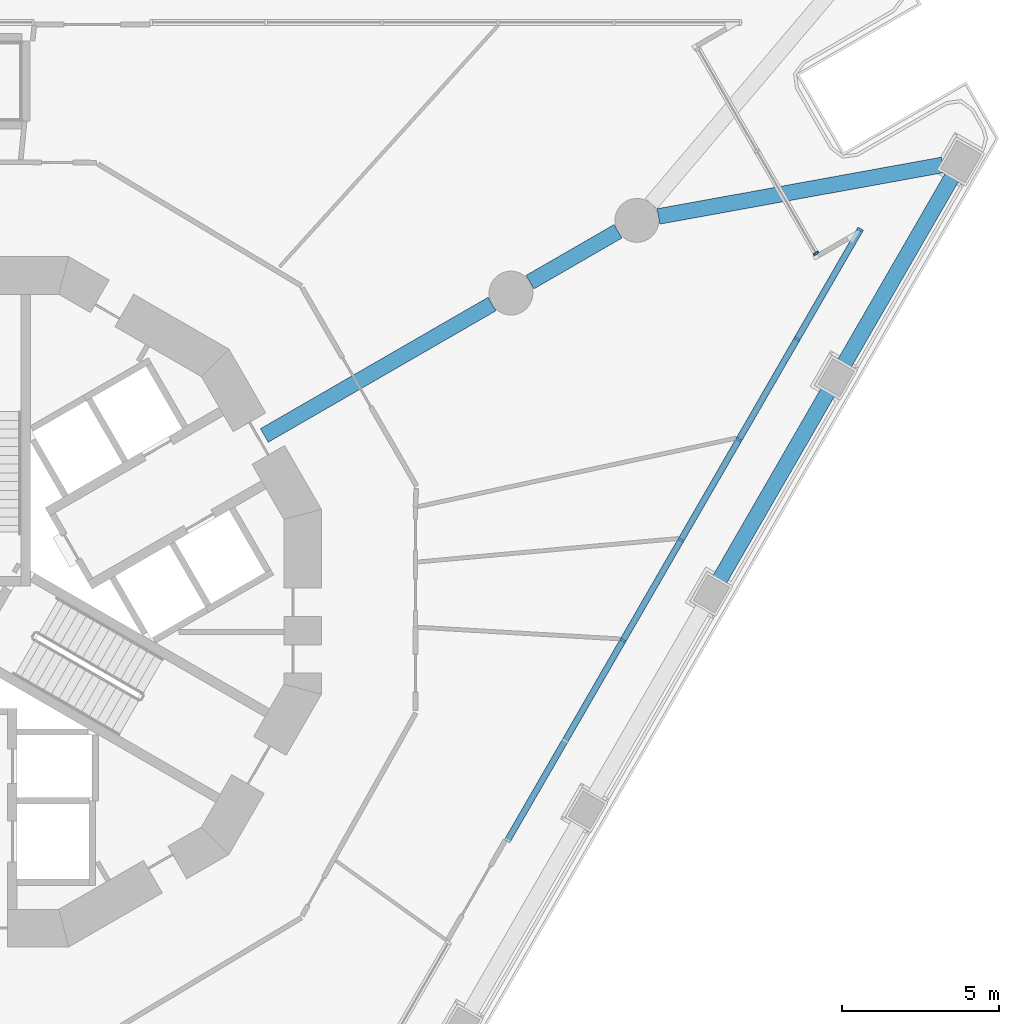
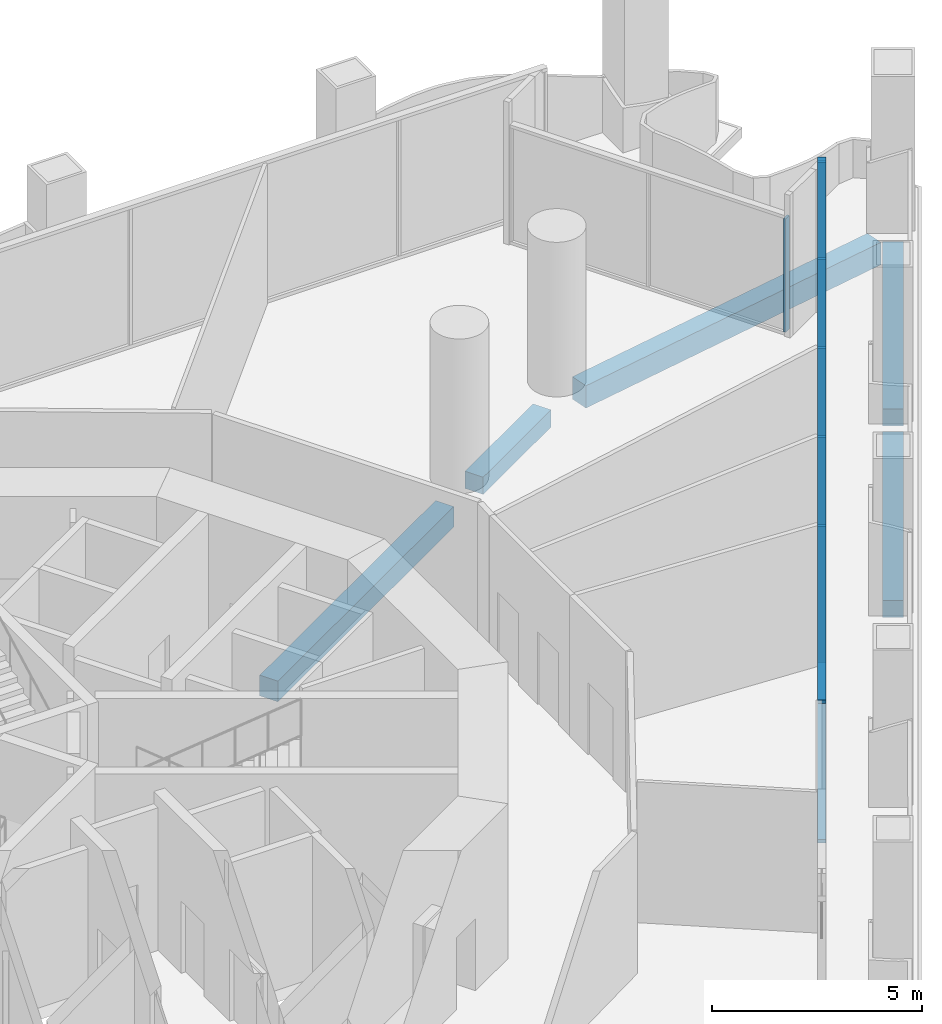
# One storey, part 7 of 22: 8 members, 5 beams, 2 elements without a shape of their own.
"""IFC4 building model written with IfcOpenShell, lengths in metres."""

from ifc_helpers import new_model, si_unit, direction, frame, origin, origin_2d, place, context, subcontext, project, spatial, rectangle, extrude, material, layer, layer_set, material_profile, profile_set, type_object, element, aggregate, save


model = new_model("IFC4")

# Units and contexts
model_context = context("Model", 3, precision=1e-05, world=origin(), true_north=direction((0.0, 1.0)))
body_context = subcontext(model_context, "Body", "Model", "MODEL_VIEW")
ifc_project = project(units=[si_unit("LENGTHUNIT", "METRE"), si_unit("AREAUNIT", "SQUARE_METRE"), si_unit("VOLUMEUNIT", "CUBIC_METRE"), si_unit("PLANEANGLEUNIT", "RADIAN"), si_unit("MASSUNIT", "GRAM", prefix="KILO")], contexts=[model_context])

# Site, building, storey
site_placement = place(None, origin())
site = spatial("IfcSite", under=ifc_project, at=site_placement, CompositionType="ELEMENT")
building_placement = place(site_placement, origin())
building = spatial("IfcBuilding", under=site, at=building_placement, Name="Trine Commons Tower", CompositionType="ELEMENT")
storey_placement = place(building_placement, frame((0.0, 0.0, 22.5)))
storey = spatial("IfcBuildingStorey", under=building, at=storey_placement, Name="L04", CompositionType="ELEMENT", Elevation=22.5)

# Curtain wall, member
ifc_material_1 = material(Name="Corner pocket glazing: anodised aluminium frame with low-emissivity double glazed unit, laminated", Category="aluminium")
ifc_layer_1 = layer(ifc_material_1, 0.179931640625)
ifc_layer_set_1 = layer_set([ifc_layer_1], Name="Corner pocket glazing: anodised aluminium frame with low-emissivity double glazed unit, laminated")
curtain_wall_type_1 = type_object("IfcCurtainWallType", Name="Corner pocket glazing curtain wall CW8", PredefinedType="NOTDEFINED", material=ifc_layer_set_1)
curtain_wall_1_placement = place(storey_placement, origin())
curtain_wall_1 = element("IfcCurtainWall", 1, at=curtain_wall_1_placement, inside=storey, type_object=curtain_wall_type_1, Name="Corner pocket glazing L04 P2.1", PredefinedType="NOTDEFINED")
ifc_material_2 = material(Name="Anodised aluminium, bronze finish", Category="aluminium")
ifc_material_profile_1 = material_profile(ifc_material_2, rectangle(XDim=0.179931640625, YDim=0.06494140625, at=origin_2d()), Name="Mullion 65x180")
ifc_profile_set_1 = profile_set([ifc_material_profile_1], Name="Anodised aluminium, bronze finish")
member_type_1 = type_object("IfcMemberType", Name="Mullion 65x180, Anodised aluminium, bronze finish", PredefinedType="MULLION", material=ifc_profile_set_1)
member_1_placement = place(storey_placement, frame((106.7900390625, 73.616943359375, 0.090087890625), z_axis=(0.0, 0.0, 1.0), x_axis=(0.866025403784, 0.5, 0.0)))
member_1 = element("IfcMember", 2, at=member_1_placement, type_object=member_type_1, Name="CW8 mullion 3.1", PredefinedType="MULLION", context=body_context, shape_type="SweptSolid", body=[
    extrude(rectangle(XDim=0.179931640625, YDim=0.06494140625, at=origin_2d()), origin(), (0.0, 0.0, 1.0), 3.2998046875),
])
aggregate(curtain_wall_1, [member_1])

# Curtain wall, members
ifc_material_3 = material(Name="Podium glazing: anodised aluminium frame with low-emissivity double glazed unit", Category="aluminium")
ifc_layer_2 = layer(ifc_material_3, 0.199951171875)
ifc_layer_set_2 = layer_set([ifc_layer_2], Name="Podium glazing: anodised aluminium frame with low-emissivity double glazed unit")
curtain_wall_type_2 = type_object("IfcCurtainWallType", Name="Podium glazing curtain wall CW3", PredefinedType="NOTDEFINED", material=ifc_layer_set_2)
curtain_wall_2_placement = place(storey_placement, origin())
curtain_wall_2 = element("IfcCurtainWall", 3, at=curtain_wall_2_placement, inside=storey, type_object=curtain_wall_type_2, Name="Podium glazing L04 F2.1", PredefinedType="NOTDEFINED")
ifc_material_profile_2 = material_profile(ifc_material_2, rectangle(XDim=0.199951171875, YDim=0.074951171875, at=origin_2d()), Name="Mullion 75x200")
ifc_profile_set_2 = profile_set([ifc_material_profile_2], Name="Anodised aluminium, bronze finish")
member_type_2 = type_object("IfcMemberType", Name="Mullion 75x200, Anodised aluminium, bronze finish", PredefinedType="MULLION", material=ifc_profile_set_2)
member_2_placement = place(storey_placement, frame((108.197509765625, 74.370361328125, 0.10009765625), z_axis=(0.0, 0.0, 1.0), x_axis=(0.866025403784, -0.5, 0.0)))
member_2 = element("IfcMember", 4, at=member_2_placement, type_object=member_type_2, Name="CW3 mullion 1.1", PredefinedType="MULLION", context=body_context, shape_type="SweptSolid", body=[
    extrude(rectangle(XDim=0.199951171875, YDim=0.074951171875, at=origin_2d()), origin(), (0.0, 0.0, 1.0), 3.949951171875),
])
member_3_placement = place(storey_placement, frame((106.18017578125, 70.876220703125, 0.10009765625), z_axis=(0.0, 0.0, 1.0), x_axis=(0.866025403784, -0.5, 0.0)))
member_3 = element("IfcMember", 5, at=member_3_placement, type_object=member_type_2, Name="CW3 mullion 2.1", PredefinedType="MULLION", context=body_context, shape_type="SweptSolid", body=[
    extrude(rectangle(XDim=0.199951171875, YDim=0.074951171875, at=origin_2d()), origin(), (0.0, 0.0, 1.0), 3.949951171875),
])
member_4_placement = place(storey_placement, frame((104.330810546875, 67.6728515625, 0.10009765625), z_axis=(0.0, 0.0, 1.0), x_axis=(0.866025403784, -0.5, 0.0)))
member_4 = element("IfcMember", 6, at=member_4_placement, type_object=member_type_2, Name="CW3 mullion 3.1", PredefinedType="MULLION", context=body_context, shape_type="SweptSolid", body=[
    extrude(rectangle(XDim=0.199951171875, YDim=0.074951171875, at=origin_2d()), origin(), (0.0, 0.0, 1.0), 3.949951171875),
])
member_5_placement = place(storey_placement, frame((102.481201171875, 64.469482421875, 0.10009765625), z_axis=(0.0, 0.0, 1.0), x_axis=(0.866025403784, -0.5, 0.0)))
member_5 = element("IfcMember", 7, at=member_5_placement, type_object=member_type_2, Name="CW3 mullion 4.1", PredefinedType="MULLION", context=body_context, shape_type="SweptSolid", body=[
    extrude(rectangle(XDim=0.199951171875, YDim=0.074951171875, at=origin_2d()), origin(), (0.0, 0.0, 1.0), 3.949951171875),
])
member_6_placement = place(storey_placement, frame((100.6318359375, 61.26611328125, 0.10009765625), z_axis=(0.0, 0.0, 1.0), x_axis=(0.866025403784, -0.5, 0.0)))
member_6 = element("IfcMember", 8, at=member_6_placement, type_object=member_type_2, Name="CW3 mullion 5.1", PredefinedType="MULLION", context=body_context, shape_type="SweptSolid", body=[
    extrude(rectangle(XDim=0.199951171875, YDim=0.074951171875, at=origin_2d()), origin(), (0.0, 0.0, 1.0), 3.949951171875),
])

# Beams
ifc_material_4 = material(Name="Concrete C50/60", Category="concrete")
ifc_material_profile_3 = material_profile(ifc_material_4, rectangle(XDim=0.5, YDim=0.5, at=origin_2d()), Name="RC 500x500")
ifc_profile_set_3 = profile_set([ifc_material_profile_3], Name="Concrete C50/60")
beam_type_1 = type_object("IfcBeamType", Name="RC beam 500x500, C50/60", PredefinedType="BEAM", material=ifc_profile_set_3)
beam_1_placement = place(storey_placement, frame((111.15380859375, 76.0908203125, -0.60009765625), z_axis=(-0.49999660792, -0.866027362194, 0.0), x_axis=(0.866027362194, -0.49999660792, 0.0)))
element("IfcBeam", 9, at=beam_1_placement, inside=storey, type_object=beam_type_1, Name="Beam EB1-15 L04", PredefinedType="BEAM", context=body_context, shape_type="SweptSolid", body=[
    extrude(rectangle(XDim=0.5, YDim=0.5, at=origin_2d()), origin(), (0.0, 0.0, 1.0), 6.96337890625),
])
beam_2_placement = place(storey_placement, frame((107.197021484375, 69.237548828125, -0.60009765625), z_axis=(-0.499991645397, -0.866030227263, 0.0), x_axis=(0.866030227263, -0.499991645397, 0.0)))
element("IfcBeam", 10, at=beam_2_placement, inside=storey, type_object=beam_type_1, Name="Beam EB1-16 L04", PredefinedType="BEAM", context=body_context, shape_type="SweptSolid", body=[
    extrude(rectangle(XDim=0.5, YDim=0.5, at=origin_2d()), origin(), (0.0, 0.0, 1.0), 7.01318359375),
])
beam_3_placement = place(storey_placement, frame((97.663818359375, 72.697998046875, -0.60009765625), z_axis=(0.865996235589, 0.500050517394, 0.0), x_axis=(-0.500050517394, 0.865996235589, 0.0)))
element("IfcBeam", 11, at=beam_3_placement, inside=storey, type_object=beam_type_1, Name="Beam RB1-04 L04", PredefinedType="BEAM", context=body_context, shape_type="SweptSolid", body=[
    extrude(rectangle(XDim=0.5, YDim=0.5, at=origin_2d()), origin(), (0.0, 0.0, 1.0), 3.242431640625),
])
ifc_material_profile_4 = material_profile(ifc_material_4, rectangle(XDim=0.5, YDim=0.60009765625, at=origin_2d()), Name="RC 500x600")
ifc_profile_set_4 = profile_set([ifc_material_profile_4], Name="Concrete C50/60")
beam_type_2 = type_object("IfcBeamType", Name="RC beam 500x600, C50/60", PredefinedType="BEAM", material=ifc_profile_set_4)
beam_4_placement = place(storey_placement, frame((89.18994140625, 67.805908203125, -0.64990234375), z_axis=(0.866038208851, 0.499977820318, 0.0), x_axis=(-0.499977820318, 0.866038208851, 0.0)))
element("IfcBeam", 12, at=beam_4_placement, inside=storey, type_object=beam_type_2, Name="Beam RB1-03 L04", PredefinedType="BEAM", context=body_context, shape_type="SweptSolid", body=[
    extrude(rectangle(XDim=0.5, YDim=0.60009765625, at=origin_2d()), origin(), (0.0, 0.0, 1.0), 8.38623046875),
])
ifc_material_profile_5 = material_profile(ifc_material_4, rectangle(XDim=0.5, YDim=0.64990234375, at=origin_2d()), Name="RC 500x650")
ifc_profile_set_5 = profile_set([ifc_material_profile_5], Name="Concrete C50/60")
beam_type_3 = type_object("IfcBeamType", Name="RC beam 500x650, C50/60", PredefinedType="BEAM", material=ifc_profile_set_5)
beam_5_placement = place(storey_placement, frame((110.8359375, 76.440185546875, -0.675048828125), z_axis=(-0.983921563764, -0.178601109628, 0.0), x_axis=(0.178601109628, -0.983921563764, 0.0)))
element("IfcBeam", 13, at=beam_5_placement, inside=storey, type_object=beam_type_3, Name="Beam CB1-04 L04", PredefinedType="BEAM", context=body_context, shape_type="SweptSolid", body=[
    extrude(rectangle(XDim=0.5, YDim=0.64990234375, at=origin_2d()), origin(), (0.0, 0.0, 1.0), 9.21875),
])

# Member
ifc_material_profile_6 = material_profile(ifc_material_2, rectangle(XDim=0.199951171875, YDim=0.10009765625, at=origin_2d()), Name="Transom 100x200")
ifc_profile_set_6 = profile_set([ifc_material_profile_6], Name="Anodised aluminium, bronze finish")
member_type_3 = type_object("IfcMemberType", Name="Transom 100x200, Anodised aluminium, bronze finish", PredefinedType="USERDEFINED", material=ifc_profile_set_6)
member_7_placement = place(storey_placement, frame((108.21630859375, 74.40283203125, 0.050048828125), z_axis=(-0.499997470867, -0.866026863975, 0.0), x_axis=(0.866026863975, -0.499997470867, 0.0)))
member_7 = element("IfcMember", 14, at=member_7_placement, type_object=member_type_3, Name="CW3 transom T00", ObjectType="TRANSOM", PredefinedType="USERDEFINED", context=body_context, shape_type="SweptSolid", body=[
    extrude(rectangle(XDim=0.199951171875, YDim=0.10009765625, at=origin_2d()), origin(), (0.0, 0.0, 1.0), 22.56640625),
])

member_8_placement = place(storey_placement, frame((108.21630859375, 74.40283203125, 4.10009765625), z_axis=(-0.499997470867, -0.866026863975, 0.0), x_axis=(0.866026863975, -0.499997470867, 0.0)))
member_8 = element("IfcMember", 15, at=member_8_placement, type_object=member_type_3, Name="CW3 transom TH00", ObjectType="TRANSOM", PredefinedType="USERDEFINED", context=body_context, shape_type="SweptSolid", body=[
    extrude(rectangle(XDim=0.199951171875, YDim=0.10009765625, at=origin_2d()), origin(), (0.0, 0.0, 1.0), 22.56640625),
])

aggregate(curtain_wall_2, [member_7, member_8, member_2, member_3, member_4, member_5, member_6])

save(model, "model.ifc")
